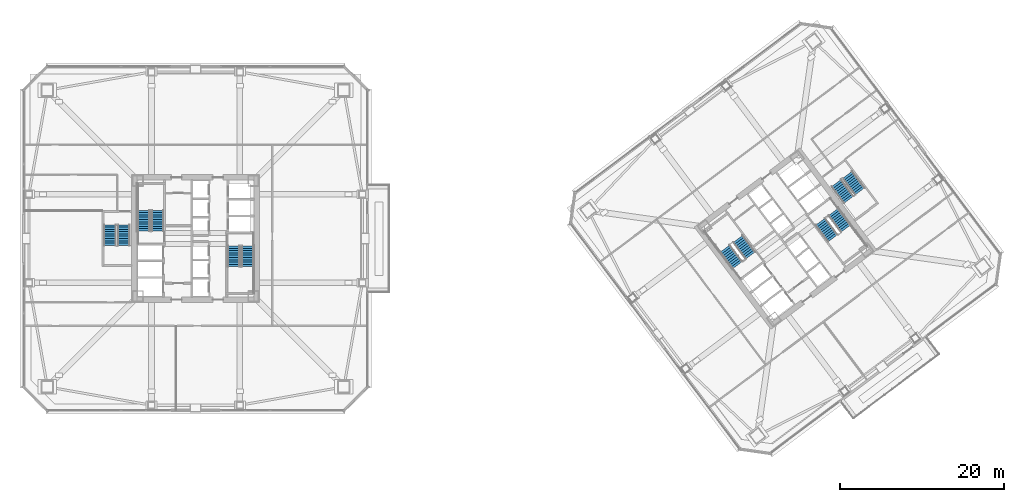
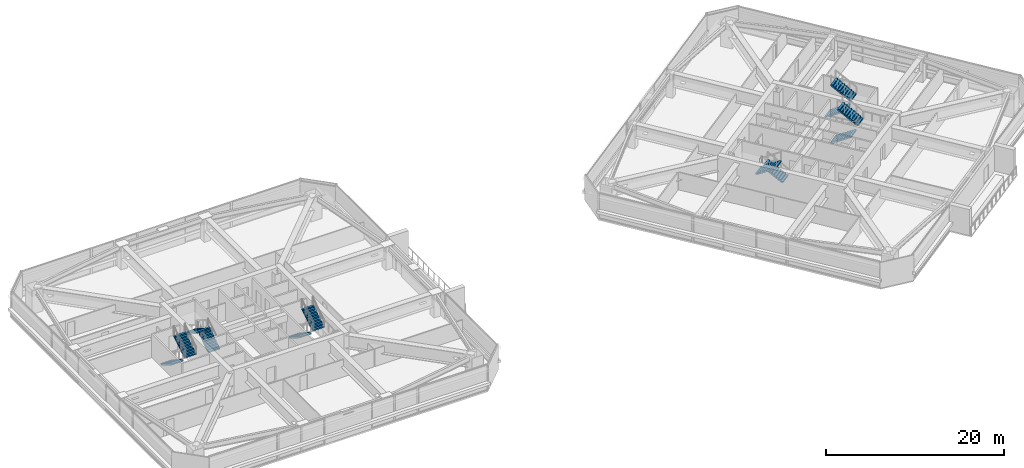
# One storey, part 42 of 49: 12 stair flights, 6 elements without a shape of their own.
"""IFC4 building model written with IfcOpenShell, lengths in metres."""

from ifc_helpers import new_model, si_unit, direction, frame, origin, place, context, subcontext, project, spatial, polyline, outline, extrude, material, type_object, element, aggregate, save


model = new_model("IFC4")

# Units and contexts
model_context = context("Model", 3, precision=1e-05, world=origin(), true_north=direction((0.0, 1.0)))
body_context = subcontext(model_context, "Body", "Model", "MODEL_VIEW")
ifc_project = project(units=[si_unit("LENGTHUNIT", "METRE"), si_unit("AREAUNIT", "SQUARE_METRE"), si_unit("VOLUMEUNIT", "CUBIC_METRE"), si_unit("PLANEANGLEUNIT", "RADIAN"), si_unit("MASSUNIT", "GRAM", prefix="KILO")], contexts=[model_context])

# Site, building, storey
site_placement = place(None, origin())
site = spatial("IfcSite", under=ifc_project, at=site_placement, CompositionType="ELEMENT")
building_placement = place(site_placement, origin())
building = spatial("IfcBuilding", under=site, at=building_placement, Name="Tashvorn Skyway Center", CompositionType="ELEMENT")
storey_placement = place(building_placement, frame((0.0, 0.0, 106.25)))
storey = spatial("IfcBuildingStorey", under=building, at=storey_placement, Name="L28", CompositionType="ELEMENT", Elevation=106.25)

# Stair, stair flights
ifc_material = material(Name="Concrete C40/50", Category="concrete")
stair_type = type_object("IfcStairType", Name="STAIR-CORE-1500", PredefinedType="HALF_TURN_STAIR", material=ifc_material)
stair_1_placement = place(storey_placement, origin())
stair_1 = element("IfcStair", 1, at=stair_1_placement, inside=storey, type_object=stair_type, Name="L28 Tower 1 Exit Stair 1", PredefinedType="HALF_TURN_STAIR")
stair_flight_type = type_object("IfcStairFlightType", Name="SFLIGHT-1500", PredefinedType="STRAIGHT", material=ifc_material)
stair_flight_1_placement = place(storey_placement, frame((37.35009765625, 32.919921875, 0.0), z_axis=(0.0, 0.0, 1.0), x_axis=(0.0, 1.0, 0.0)))
stair_flight_1 = element("IfcStairFlight", 2, at=stair_flight_1_placement, type_object=stair_flight_type, Name="ST-T1-1 flight 1", NumberOfRisers=10, NumberOfTreads=9, PredefinedType="STRAIGHT", RiserHeight=0.1775, TreadLength=0.28, context=body_context, shape_type="SweptSolid", body=[
    extrude(outline(polyline([(0.0, 0.0), (0.0, 0.177490234375), (0.280029296875, 0.177490234375), (0.280029296875, 0.35498046875), (0.56005859375, 0.35498046875), (0.56005859375, 0.532470703125), (0.840087890625, 0.532470703125), (0.840087890625, 0.7099609375), (1.1201171875, 0.7099609375), (1.1201171875, 0.887451171875), (1.39990234375, 0.887451171875), (1.39990234375, 1.06494140625), (1.679931640625, 1.06494140625), (1.679931640625, 1.242431640625), (1.9599609375, 1.242431640625), (1.9599609375, 1.419921875), (2.239990234375, 1.419921875), (2.239990234375, 1.597412109375), (2.52001953125, 1.597412109375), (2.52001953125, 1.77490234375), (2.52001953125, 1.419921875), (0.280029296875, 0.0), (0.0, 0.0)])), frame((0.0, 0.75, 0.0), z_axis=(0.0, -1.0, 0.0), x_axis=(1.0, 0.0, 0.0)), (0.0, 0.0, 1.0), 1.5),
])
stair_flight_2_placement = place(storey_placement, frame((35.64990234375, 35.43994140625, 1.77490234375), z_axis=(0.0, 0.0, 1.0), x_axis=(0.0, -1.0, 0.0)))
stair_flight_2 = element("IfcStairFlight", 3, at=stair_flight_2_placement, type_object=stair_flight_type, Name="ST-T1-1 flight 2", NumberOfRisers=10, NumberOfTreads=9, PredefinedType="STRAIGHT", RiserHeight=0.1775, TreadLength=0.28, context=body_context, shape_type="SweptSolid", body=[
    extrude(outline(polyline([(0.0, 0.0), (0.0, 0.177490234375), (0.280029296875, 0.177490234375), (0.280029296875, 0.35498046875), (0.56005859375, 0.35498046875), (0.56005859375, 0.532470703125), (0.840087890625, 0.532470703125), (0.840087890625, 0.7099609375), (1.1201171875, 0.7099609375), (1.1201171875, 0.887451171875), (1.39990234375, 0.887451171875), (1.39990234375, 1.06494140625), (1.679931640625, 1.06494140625), (1.679931640625, 1.242431640625), (1.9599609375, 1.242431640625), (1.9599609375, 1.419921875), (2.239990234375, 1.419921875), (2.239990234375, 1.597412109375), (2.52001953125, 1.597412109375), (2.52001953125, 1.77490234375), (2.52001953125, 1.419921875), (0.280029296875, 0.0), (0.0, 0.0)])), frame((0.0, 0.75, 0.0), z_axis=(0.0, -1.0, 0.0), x_axis=(1.0, 0.0, 0.0)), (0.0, 0.0, 1.0), 1.5),
])
aggregate(stair_1, [stair_flight_1, stair_flight_2])

stair_2_placement = place(storey_placement, origin())
stair_2 = element("IfcStair", 4, at=stair_2_placement, inside=storey, type_object=stair_type, Name="L28 Tower 1 Exit Stair 2", PredefinedType="HALF_TURN_STAIR")
stair_flight_3_placement = place(storey_placement, frame((46.64990234375, 31.080078125, 0.0), z_axis=(0.0, 0.0, 1.0), x_axis=(0.0, -1.0, 0.0)))
stair_flight_3 = element("IfcStairFlight", 5, at=stair_flight_3_placement, type_object=stair_flight_type, Name="ST-T1-2 flight 1", NumberOfRisers=10, NumberOfTreads=9, PredefinedType="STRAIGHT", RiserHeight=0.1775, TreadLength=0.28, context=body_context, shape_type="SweptSolid", body=[
    extrude(outline(polyline([(0.0, 0.0), (0.0, 0.177490234375), (0.280029296875, 0.177490234375), (0.280029296875, 0.35498046875), (0.56005859375, 0.35498046875), (0.56005859375, 0.532470703125), (0.840087890625, 0.532470703125), (0.840087890625, 0.7099609375), (1.1201171875, 0.7099609375), (1.1201171875, 0.887451171875), (1.39990234375, 0.887451171875), (1.39990234375, 1.06494140625), (1.679931640625, 1.06494140625), (1.679931640625, 1.242431640625), (1.9599609375, 1.242431640625), (1.9599609375, 1.419921875), (2.239990234375, 1.419921875), (2.239990234375, 1.597412109375), (2.52001953125, 1.597412109375), (2.52001953125, 1.77490234375), (2.52001953125, 1.419921875), (0.280029296875, 0.0), (0.0, 0.0)])), frame((0.0, 0.75, 0.0), z_axis=(0.0, -1.0, 0.0), x_axis=(1.0, 0.0, 0.0)), (0.0, 0.0, 1.0), 1.5),
])
stair_flight_4_placement = place(storey_placement, frame((48.35009765625, 28.56005859375, 1.77490234375), z_axis=(0.0, 0.0, 1.0), x_axis=(0.0, 1.0, 0.0)))
stair_flight_4 = element("IfcStairFlight", 6, at=stair_flight_4_placement, type_object=stair_flight_type, Name="ST-T1-2 flight 2", NumberOfRisers=10, NumberOfTreads=9, PredefinedType="STRAIGHT", RiserHeight=0.1775, TreadLength=0.28, context=body_context, shape_type="SweptSolid", body=[
    extrude(outline(polyline([(0.0, 0.0), (0.0, 0.177490234375), (0.280029296875, 0.177490234375), (0.280029296875, 0.35498046875), (0.56005859375, 0.35498046875), (0.56005859375, 0.532470703125), (0.840087890625, 0.532470703125), (0.840087890625, 0.7099609375), (1.1201171875, 0.7099609375), (1.1201171875, 0.887451171875), (1.39990234375, 0.887451171875), (1.39990234375, 1.06494140625), (1.679931640625, 1.06494140625), (1.679931640625, 1.242431640625), (1.9599609375, 1.242431640625), (1.9599609375, 1.419921875), (2.239990234375, 1.419921875), (2.239990234375, 1.597412109375), (2.52001953125, 1.597412109375), (2.52001953125, 1.77490234375), (2.52001953125, 1.419921875), (0.280029296875, 0.0), (0.0, 0.0)])), frame((0.0, 0.75, 0.0), z_axis=(0.0, -1.0, 0.0), x_axis=(1.0, 0.0, 0.0)), (0.0, 0.0, 1.0), 1.5),
])
aggregate(stair_2, [stair_flight_3, stair_flight_4])

stair_3_placement = place(storey_placement, origin())
stair_3 = element("IfcStair", 7, at=stair_3_placement, inside=storey, type_object=stair_type, Name="L28 Tower 2 Exit Stair 1", PredefinedType="HALF_TURN_STAIR")
stair_flight_5_placement = place(storey_placement, frame((109.72802734375, 29.946044921875, 0.0), z_axis=(0.0, 0.0, 1.0), x_axis=(-0.600000004945, 0.799999996291, 0.0)))
stair_flight_5 = element("IfcStairFlight", 8, at=stair_flight_5_placement, type_object=stair_flight_type, Name="ST-T2-1 flight 1", NumberOfRisers=10, NumberOfTreads=9, PredefinedType="STRAIGHT", RiserHeight=0.1775, TreadLength=0.28, context=body_context, shape_type="SweptSolid", body=[
    extrude(outline(polyline([(0.0, 0.0), (0.0, 0.177490234375), (0.280029296875, 0.177490234375), (0.280029296875, 0.35498046875), (0.56005859375, 0.35498046875), (0.56005859375, 0.532470703125), (0.840087890625, 0.532470703125), (0.840087890625, 0.7099609375), (1.1201171875, 0.7099609375), (1.1201171875, 0.887451171875), (1.39990234375, 0.887451171875), (1.39990234375, 1.06494140625), (1.679931640625, 1.06494140625), (1.679931640625, 1.242431640625), (1.9599609375, 1.242431640625), (1.9599609375, 1.419921875), (2.239990234375, 1.419921875), (2.239990234375, 1.597412109375), (2.52001953125, 1.597412109375), (2.52001953125, 1.77490234375), (2.52001953125, 1.419921875), (0.280029296875, 0.0), (0.0, 0.0)])), frame((0.0, 0.75, 0.0), z_axis=(0.0, -1.0, 0.0), x_axis=(1.0, 0.0, 0.0)), (0.0, 0.0, 1.0), 1.5),
])
stair_flight_6_placement = place(storey_placement, frame((106.632080078125, 30.77392578125, 1.77490234375), z_axis=(0.0, 0.0, 1.0), x_axis=(0.600000004945, -0.799999996291, 0.0)))
stair_flight_6 = element("IfcStairFlight", 9, at=stair_flight_6_placement, type_object=stair_flight_type, Name="ST-T2-1 flight 2", NumberOfRisers=10, NumberOfTreads=9, PredefinedType="STRAIGHT", RiserHeight=0.1775, TreadLength=0.28, context=body_context, shape_type="SweptSolid", body=[
    extrude(outline(polyline([(0.0, 0.0), (0.0, 0.177490234375), (0.280029296875, 0.177490234375), (0.280029296875, 0.35498046875), (0.56005859375, 0.35498046875), (0.56005859375, 0.532470703125), (0.840087890625, 0.532470703125), (0.840087890625, 0.7099609375), (1.1201171875, 0.7099609375), (1.1201171875, 0.887451171875), (1.39990234375, 0.887451171875), (1.39990234375, 1.06494140625), (1.679931640625, 1.06494140625), (1.679931640625, 1.242431640625), (1.9599609375, 1.242431640625), (1.9599609375, 1.419921875), (2.239990234375, 1.419921875), (2.239990234375, 1.597412109375), (2.52001953125, 1.597412109375), (2.52001953125, 1.77490234375), (2.52001953125, 1.419921875), (0.280029296875, 0.0), (0.0, 0.0)])), frame((0.0, 0.75, 0.0), z_axis=(0.0, -1.0, 0.0), x_axis=(1.0, 0.0, 0.0)), (0.0, 0.0, 1.0), 1.5),
])
aggregate(stair_3, [stair_flight_5, stair_flight_6])

stair_4_placement = place(storey_placement, origin())
stair_4 = element("IfcStair", 10, at=stair_4_placement, inside=storey, type_object=stair_type, Name="L28 Tower 2 Exit Stair 2", PredefinedType="HALF_TURN_STAIR")
stair_flight_7_placement = place(storey_placement, frame((118.27197265625, 34.053955078125, 0.0), z_axis=(0.0, 0.0, 1.0), x_axis=(0.600000004945, -0.799999996291, 0.0)))
stair_flight_7 = element("IfcStairFlight", 11, at=stair_flight_7_placement, type_object=stair_flight_type, Name="ST-T2-2 flight 1", NumberOfRisers=10, NumberOfTreads=9, PredefinedType="STRAIGHT", RiserHeight=0.1775, TreadLength=0.28, context=body_context, shape_type="SweptSolid", body=[
    extrude(outline(polyline([(0.0, 0.0), (0.0, 0.177490234375), (0.280029296875, 0.177490234375), (0.280029296875, 0.35498046875), (0.56005859375, 0.35498046875), (0.56005859375, 0.532470703125), (0.840087890625, 0.532470703125), (0.840087890625, 0.7099609375), (1.1201171875, 0.7099609375), (1.1201171875, 0.887451171875), (1.39990234375, 0.887451171875), (1.39990234375, 1.06494140625), (1.679931640625, 1.06494140625), (1.679931640625, 1.242431640625), (1.9599609375, 1.242431640625), (1.9599609375, 1.419921875), (2.239990234375, 1.419921875), (2.239990234375, 1.597412109375), (2.52001953125, 1.597412109375), (2.52001953125, 1.77490234375), (2.52001953125, 1.419921875), (0.280029296875, 0.0), (0.0, 0.0)])), frame((0.0, 0.75, 0.0), z_axis=(0.0, -1.0, 0.0), x_axis=(1.0, 0.0, 0.0)), (0.0, 0.0, 1.0), 1.5),
])
stair_flight_8_placement = place(storey_placement, frame((121.367919921875, 33.22607421875, 1.77490234375), z_axis=(0.0, 0.0, 1.0), x_axis=(-0.600000004945, 0.799999996291, 0.0)))
stair_flight_8 = element("IfcStairFlight", 12, at=stair_flight_8_placement, type_object=stair_flight_type, Name="ST-T2-2 flight 2", NumberOfRisers=10, NumberOfTreads=9, PredefinedType="STRAIGHT", RiserHeight=0.1775, TreadLength=0.28, context=body_context, shape_type="SweptSolid", body=[
    extrude(outline(polyline([(0.0, 0.0), (0.0, 0.177490234375), (0.280029296875, 0.177490234375), (0.280029296875, 0.35498046875), (0.56005859375, 0.35498046875), (0.56005859375, 0.532470703125), (0.840087890625, 0.532470703125), (0.840087890625, 0.7099609375), (1.1201171875, 0.7099609375), (1.1201171875, 0.887451171875), (1.39990234375, 0.887451171875), (1.39990234375, 1.06494140625), (1.679931640625, 1.06494140625), (1.679931640625, 1.242431640625), (1.9599609375, 1.242431640625), (1.9599609375, 1.419921875), (2.239990234375, 1.419921875), (2.239990234375, 1.597412109375), (2.52001953125, 1.597412109375), (2.52001953125, 1.77490234375), (2.52001953125, 1.419921875), (0.280029296875, 0.0), (0.0, 0.0)])), frame((0.0, 0.75, 0.0), z_axis=(0.0, -1.0, 0.0), x_axis=(1.0, 0.0, 0.0)), (0.0, 0.0, 1.0), 1.5),
])
aggregate(stair_4, [stair_flight_7, stair_flight_8])

stair_5_placement = place(storey_placement, origin())
stair_5 = element("IfcStair", 13, at=stair_5_placement, inside=storey, type_object=stair_type, Name="L28 Tower 1 Exit Stair 3", PredefinedType="HALF_TURN_STAIR")
stair_flight_9_placement = place(storey_placement, frame((31.550048828125, 33.679931640625, 0.0), z_axis=(0.0, 0.0, 1.0), x_axis=(0.0, -1.0, 0.0)))
stair_flight_9 = element("IfcStairFlight", 14, at=stair_flight_9_placement, type_object=stair_flight_type, Name="ST-T1-3 flight 1", NumberOfRisers=10, NumberOfTreads=9, PredefinedType="STRAIGHT", RiserHeight=0.1775, TreadLength=0.28, context=body_context, shape_type="SweptSolid", body=[
    extrude(outline(polyline([(0.0, 0.0), (0.0, 0.177490234375), (0.280029296875, 0.177490234375), (0.280029296875, 0.35498046875), (0.56005859375, 0.35498046875), (0.56005859375, 0.532470703125), (0.840087890625, 0.532470703125), (0.840087890625, 0.7099609375), (1.1201171875, 0.7099609375), (1.1201171875, 0.887451171875), (1.39990234375, 0.887451171875), (1.39990234375, 1.06494140625), (1.679931640625, 1.06494140625), (1.679931640625, 1.242431640625), (1.9599609375, 1.242431640625), (1.9599609375, 1.419921875), (2.239990234375, 1.419921875), (2.239990234375, 1.597412109375), (2.52001953125, 1.597412109375), (2.52001953125, 1.77490234375), (2.52001953125, 1.419921875), (0.280029296875, 0.0), (0.0, 0.0)])), frame((0.0, 0.75, 0.0), z_axis=(0.0, -1.0, 0.0), x_axis=(1.0, 0.0, 0.0)), (0.0, 0.0, 1.0), 1.5),
])
stair_flight_10_placement = place(storey_placement, frame((33.25, 31.159912109375, 1.77490234375), z_axis=(0.0, 0.0, 1.0), x_axis=(0.0, 1.0, 0.0)))
stair_flight_10 = element("IfcStairFlight", 15, at=stair_flight_10_placement, type_object=stair_flight_type, Name="ST-T1-3 flight 2", NumberOfRisers=10, NumberOfTreads=9, PredefinedType="STRAIGHT", RiserHeight=0.1775, TreadLength=0.28, context=body_context, shape_type="SweptSolid", body=[
    extrude(outline(polyline([(0.0, 0.0), (0.0, 0.177490234375), (0.280029296875, 0.177490234375), (0.280029296875, 0.35498046875), (0.56005859375, 0.35498046875), (0.56005859375, 0.532470703125), (0.840087890625, 0.532470703125), (0.840087890625, 0.7099609375), (1.1201171875, 0.7099609375), (1.1201171875, 0.887451171875), (1.39990234375, 0.887451171875), (1.39990234375, 1.06494140625), (1.679931640625, 1.06494140625), (1.679931640625, 1.242431640625), (1.9599609375, 1.242431640625), (1.9599609375, 1.419921875), (2.239990234375, 1.419921875), (2.239990234375, 1.597412109375), (2.52001953125, 1.597412109375), (2.52001953125, 1.77490234375), (2.52001953125, 1.419921875), (0.280029296875, 0.0), (0.0, 0.0)])), frame((0.0, 0.75, 0.0), z_axis=(0.0, -1.0, 0.0), x_axis=(1.0, 0.0, 0.0)), (0.0, 0.0, 1.0), 1.5),
])
aggregate(stair_5, [stair_flight_9, stair_flight_10])

stair_6_placement = place(storey_placement, origin())
stair_6 = element("IfcStair", 16, at=stair_6_placement, inside=storey, type_object=stair_type, Name="L28 Tower 2 Exit Stair 3", PredefinedType="HALF_TURN_STAIR")
stair_flight_11_placement = place(storey_placement, frame((120.216064453125, 38.761962890625, 0.0), z_axis=(0.0, 0.0, 1.0), x_axis=(0.600000004945, -0.799999996291, 0.0)))
stair_flight_11 = element("IfcStairFlight", 17, at=stair_flight_11_placement, type_object=stair_flight_type, Name="ST-T2-3 flight 1", NumberOfRisers=10, NumberOfTreads=9, PredefinedType="STRAIGHT", RiserHeight=0.1775, TreadLength=0.28, context=body_context, shape_type="SweptSolid", body=[
    extrude(outline(polyline([(0.0, 0.0), (0.0, 0.177490234375), (0.280029296875, 0.177490234375), (0.280029296875, 0.35498046875), (0.56005859375, 0.35498046875), (0.56005859375, 0.532470703125), (0.840087890625, 0.532470703125), (0.840087890625, 0.7099609375), (1.1201171875, 0.7099609375), (1.1201171875, 0.887451171875), (1.39990234375, 0.887451171875), (1.39990234375, 1.06494140625), (1.679931640625, 1.06494140625), (1.679931640625, 1.242431640625), (1.9599609375, 1.242431640625), (1.9599609375, 1.419921875), (2.239990234375, 1.419921875), (2.239990234375, 1.597412109375), (2.52001953125, 1.597412109375), (2.52001953125, 1.77490234375), (2.52001953125, 1.419921875), (0.280029296875, 0.0), (0.0, 0.0)])), frame((0.0, 0.75, 0.0), z_axis=(0.0, -1.0, 0.0), x_axis=(1.0, 0.0, 0.0)), (0.0, 0.0, 1.0), 1.5),
])
stair_flight_12_placement = place(storey_placement, frame((123.087890625, 37.76611328125, 1.77490234375), z_axis=(0.0, 0.0, 1.0), x_axis=(-0.600000004945, 0.799999996291, 0.0)))
stair_flight_12 = element("IfcStairFlight", 18, at=stair_flight_12_placement, type_object=stair_flight_type, Name="ST-T2-3 flight 2", NumberOfRisers=10, NumberOfTreads=9, PredefinedType="STRAIGHT", RiserHeight=0.1775, TreadLength=0.28, context=body_context, shape_type="SweptSolid", body=[
    extrude(outline(polyline([(0.0, 0.0), (0.0, 0.177490234375), (0.280029296875, 0.177490234375), (0.280029296875, 0.35498046875), (0.56005859375, 0.35498046875), (0.56005859375, 0.532470703125), (0.840087890625, 0.532470703125), (0.840087890625, 0.7099609375), (1.1201171875, 0.7099609375), (1.1201171875, 0.887451171875), (1.39990234375, 0.887451171875), (1.39990234375, 1.06494140625), (1.679931640625, 1.06494140625), (1.679931640625, 1.242431640625), (1.9599609375, 1.242431640625), (1.9599609375, 1.419921875), (2.239990234375, 1.419921875), (2.239990234375, 1.597412109375), (2.52001953125, 1.597412109375), (2.52001953125, 1.77490234375), (2.52001953125, 1.419921875), (0.280029296875, 0.0), (0.0, 0.0)])), frame((0.0, 0.75, 0.0), z_axis=(0.0, -1.0, 0.0), x_axis=(1.0, 0.0, 0.0)), (0.0, 0.0, 1.0), 1.5),
])
aggregate(stair_6, [stair_flight_11, stair_flight_12])

save(model, "model.ifc")
